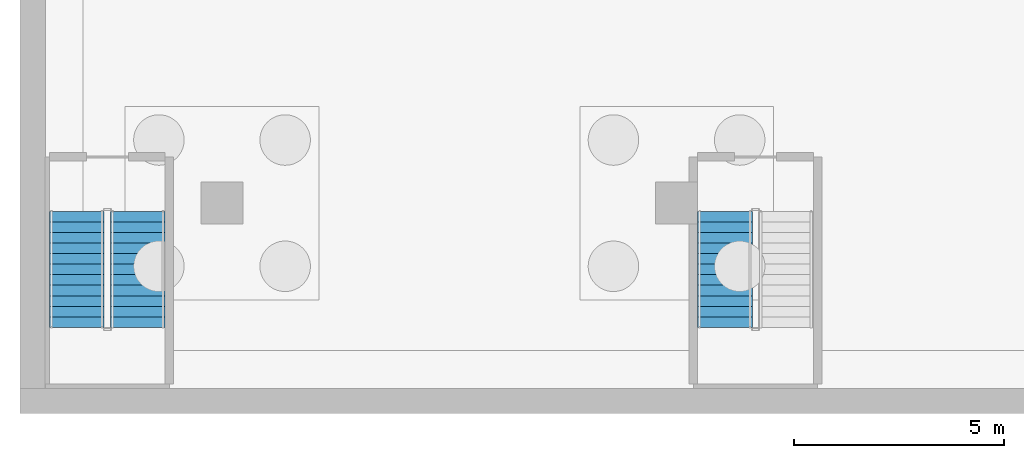
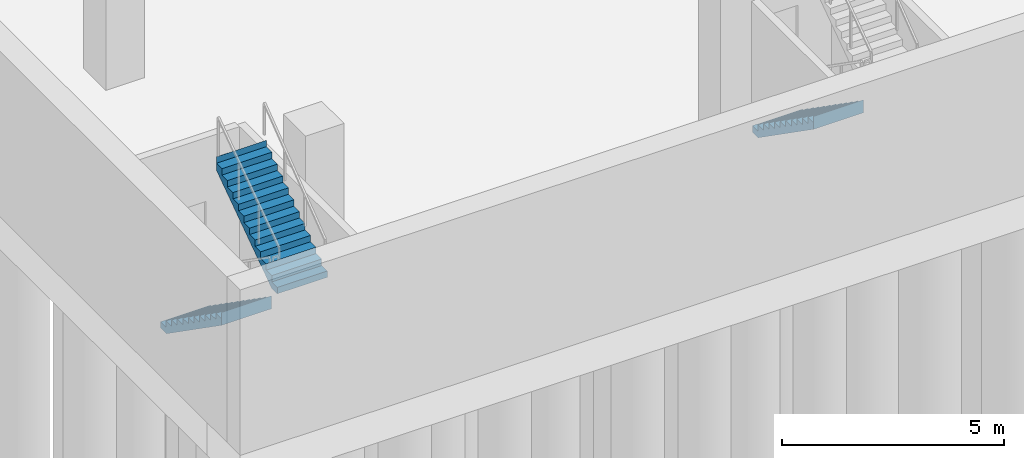
# One storey, part 12 of 21: 3 stair flights, 2 elements without a shape of their own.
"""IFC4 building model written with IfcOpenShell, lengths in metres."""

from ifc_helpers import new_model, si_unit, direction, frame, origin, place, context, subcontext, project, spatial, triangles, material, type_object, element, aggregate, save


model = new_model("IFC4")

# Units and contexts
model_context = context("Model", 3, precision=1e-05, world=origin(), true_north=direction((0.0, 1.0)))
body_context = subcontext(model_context, "Body", "Model", "MODEL_VIEW")
ifc_project = project(units=[si_unit("LENGTHUNIT", "METRE"), si_unit("AREAUNIT", "SQUARE_METRE"), si_unit("VOLUMEUNIT", "CUBIC_METRE"), si_unit("PLANEANGLEUNIT", "RADIAN"), si_unit("MASSUNIT", "GRAM", prefix="KILO")], contexts=[model_context])

# Site, building, storey
site_placement = place(None, origin())
site = spatial("IfcSite", under=ifc_project, at=site_placement, CompositionType="ELEMENT")
building_placement = place(site_placement, origin())
building = spatial("IfcBuilding", under=site, at=building_placement, Name="Beryl Residences", CompositionType="ELEMENT")
storey_placement = place(building_placement, frame((0.0, 0.0, -8.39990234375)))
storey = spatial("IfcBuildingStorey", under=building, at=storey_placement, Name="B2", CompositionType="ELEMENT", Elevation=-8.39990234375)

# Stair, stair flights
ifc_material_1 = material(Name="Concrete C40/50", Category="concrete")
stair_type = type_object("IfcStairType", Name="ST1 protected exit stair, half-turn, 1300 mm flights", PredefinedType="HALF_TURN_STAIR", material=ifc_material_1)
stair_1_placement = place(storey_placement, origin())
stair_1 = element("IfcStair", 1, at=stair_1_placement, inside=storey, type_object=stair_type, Name="B2 Basement exit stair 4", PredefinedType="HALF_TURN_STAIR")
ifc_material_2 = material(Name="Concrete C40/50", Category="concrete")
stair_flight_type = type_object("IfcStairFlightType", Name="SF1 stair flight 1300 mm", PredefinedType="STRAIGHT", material=ifc_material_2)
stair_flight_1_placement = place(storey_placement, frame((-46.64990234375, -27.199951171875, 0.0), z_axis=(0.0, 0.0, 1.0), x_axis=(0.0, -1.0, 0.0)))
stair_flight_1 = element("IfcStairFlight", 2, at=stair_flight_1_placement, type_object=stair_flight_type, Name="BS-4 flight 1", NumberOfRisers=12, NumberOfTreads=11, PredefinedType="STRAIGHT", RiserHeight=0.175, TreadLength=0.25, context=body_context, shape_type="Tessellation", body=[
    triangles([(0.0, -0.64990234375, 0.0), (0.0, -0.324951171875, 0.0), (0.0, 0.0, 0.0), (0.0, 0.324951171875, 0.0), (0.0, 0.64990234375, 0.0), (0.0, -0.64990234375, 0.175048828125), (0.0, -0.324951171875, 0.175048828125), (0.0, 0.0, 0.175048828125), (0.0, 0.324951171875, 0.175048828125), (0.0, 0.64990234375, 0.175048828125), (0.25, -0.64990234375, 0.175048828125), (0.25, -0.324951171875, 0.175048828125), (0.25, 0.0, 0.175048828125), (0.25, 0.324951171875, 0.175048828125), (0.25, 0.64990234375, 0.175048828125), (0.25, -0.64990234375, 0.35009765625), (0.25, -0.324951171875, 0.35009765625), (0.25, 0.0, 0.35009765625), (0.25, 0.324951171875, 0.35009765625), (0.25, 0.64990234375, 0.35009765625), (0.5, -0.64990234375, 0.35009765625), (0.5, -0.324951171875, 0.35009765625), (0.5, 0.0, 0.35009765625), (0.5, 0.324951171875, 0.35009765625), (0.5, 0.64990234375, 0.35009765625), (0.5, -0.64990234375, 0.52490234375), (0.5, -0.324951171875, 0.52490234375), (0.5, 0.0, 0.52490234375), (0.5, 0.324951171875, 0.52490234375), (0.5, 0.64990234375, 0.52490234375), (0.75, -0.64990234375, 0.52490234375), (0.75, -0.324951171875, 0.52490234375), (0.75, 0.0, 0.52490234375), (0.75, 0.324951171875, 0.52490234375), (0.75, 0.64990234375, 0.52490234375), (0.75, -0.64990234375, 0.699951171875), (0.75, -0.324951171875, 0.699951171875), (0.75, 0.0, 0.699951171875), (0.75, 0.324951171875, 0.699951171875), (0.75, 0.64990234375, 0.699951171875), (1.0, -0.64990234375, 0.699951171875), (1.0, -0.324951171875, 0.699951171875), (1.0, 0.0, 0.699951171875), (1.0, 0.324951171875, 0.699951171875), (1.0, 0.64990234375, 0.699951171875), (1.0, -0.64990234375, 0.875), (1.0, -0.324951171875, 0.875), (1.0, 0.0, 0.875), (1.0, 0.324951171875, 0.875), (1.0, 0.64990234375, 0.875), (1.25, -0.64990234375, 0.875), (1.25, -0.324951171875, 0.875), (1.25, 0.0, 0.875), (1.25, 0.324951171875, 0.875), (1.25, 0.64990234375, 0.875), (1.25, -0.64990234375, 1.050048828125), (1.25, -0.324951171875, 1.050048828125), (1.25, 0.0, 1.050048828125), (1.25, 0.324951171875, 1.050048828125), (1.25, 0.64990234375, 1.050048828125), (1.5, -0.64990234375, 1.050048828125), (1.5, -0.324951171875, 1.050048828125), (1.5, 0.0, 1.050048828125), (1.5, 0.324951171875, 1.050048828125), (1.5, 0.64990234375, 1.050048828125), (1.5, -0.64990234375, 1.22509765625), (1.5, -0.324951171875, 1.22509765625), (1.5, 0.0, 1.22509765625), (1.5, 0.324951171875, 1.22509765625), (1.5, 0.64990234375, 1.22509765625), (1.75, -0.64990234375, 1.22509765625), (1.75, -0.324951171875, 1.22509765625), (1.75, 0.0, 1.22509765625), (1.75, 0.324951171875, 1.22509765625), (1.75, 0.64990234375, 1.22509765625), (1.75, -0.64990234375, 1.39990234375), (1.75, -0.324951171875, 1.39990234375), (1.75, 0.0, 1.39990234375), (1.75, 0.324951171875, 1.39990234375), (1.75, 0.64990234375, 1.39990234375), (2.0, -0.64990234375, 1.39990234375), (2.0, -0.324951171875, 1.39990234375), (2.0, 0.0, 1.39990234375), (2.0, 0.324951171875, 1.39990234375), (2.0, 0.64990234375, 1.39990234375), (2.0, -0.64990234375, 1.574951171875), (2.0, -0.324951171875, 1.574951171875), (2.0, 0.0, 1.574951171875), (2.0, 0.324951171875, 1.574951171875), (2.0, 0.64990234375, 1.574951171875), (2.25, -0.64990234375, 1.574951171875), (2.25, -0.324951171875, 1.574951171875), (2.25, 0.0, 1.574951171875), (2.25, 0.324951171875, 1.574951171875), (2.25, 0.64990234375, 1.574951171875), (2.25, -0.64990234375, 1.75), (2.25, -0.324951171875, 1.75), (2.25, 0.0, 1.75), (2.25, 0.324951171875, 1.75), (2.25, 0.64990234375, 1.75), (2.5, -0.64990234375, 1.75), (2.5, -0.324951171875, 1.75), (2.5, 0.0, 1.75), (2.5, 0.324951171875, 1.75), (2.5, 0.64990234375, 1.75), (2.5, -0.64990234375, 1.925048828125), (2.5, -0.324951171875, 1.925048828125), (2.5, 0.0, 1.925048828125), (2.5, 0.324951171875, 1.925048828125), (2.5, 0.64990234375, 1.925048828125), (2.75, -0.64990234375, 1.925048828125), (2.75, -0.324951171875, 1.925048828125), (2.75, 0.0, 1.925048828125), (2.75, 0.324951171875, 1.925048828125), (2.75, 0.64990234375, 1.925048828125), (2.75, -0.64990234375, 2.10009765625), (2.75, -0.324951171875, 2.10009765625), (2.75, 0.0, 2.10009765625), (2.75, 0.324951171875, 2.10009765625), (2.75, 0.64990234375, 2.10009765625), (2.7509765625, -0.64990234375, 2.10009765625), (2.7509765625, -0.324951171875, 2.10009765625), (2.7509765625, 0.0, 2.10009765625), (2.7509765625, 0.324951171875, 2.10009765625), (2.7509765625, 0.64990234375, 2.10009765625), (2.7509765625, -0.64990234375, 1.741943359375), (2.7509765625, -0.324951171875, 1.741943359375), (2.7509765625, 0.0, 1.741943359375), (2.7509765625, 0.324951171875, 1.741943359375), (2.7509765625, 0.64990234375, 1.741943359375), (0.262451171875, -0.64990234375, 0.0), (0.262451171875, -0.324951171875, 0.0), (0.262451171875, 0.0, 0.0), (0.262451171875, 0.324951171875, 0.0), (0.262451171875, 0.64990234375, 0.0)], [[1, 6, 7], [1, 7, 2], [2, 7, 8], [2, 8, 3], [3, 8, 9], [3, 9, 4], [4, 9, 10], [4, 10, 5], [6, 11, 12], [6, 12, 7], [7, 12, 13], [7, 13, 8], [8, 13, 14], [8, 14, 9], [9, 14, 15], [9, 15, 10], [11, 16, 17], [11, 17, 12], [12, 17, 18], [12, 18, 13], [13, 18, 19], [13, 19, 14], [14, 19, 20], [14, 20, 15], [16, 21, 22], [16, 22, 17], [17, 22, 23], [17, 23, 18], [18, 23, 24], [18, 24, 19], [19, 24, 25], [19, 25, 20], [21, 26, 27], [21, 27, 22], [22, 27, 28], [22, 28, 23], [23, 28, 29], [23, 29, 24], [24, 29, 30], [24, 30, 25], [26, 31, 32], [26, 32, 27], [27, 32, 33], [27, 33, 28], [28, 33, 34], [28, 34, 29], [29, 34, 35], [29, 35, 30], [31, 36, 37], [31, 37, 32], [32, 37, 38], [32, 38, 33], [33, 38, 39], [33, 39, 34], [34, 39, 40], [34, 40, 35], [36, 41, 42], [36, 42, 37], [37, 42, 43], [37, 43, 38], [38, 43, 44], [38, 44, 39], [39, 44, 45], [39, 45, 40], [41, 46, 47], [41, 47, 42], [42, 47, 48], [42, 48, 43], [43, 48, 49], [43, 49, 44], [44, 49, 50], [44, 50, 45], [46, 51, 52], [46, 52, 47], [47, 52, 53], [47, 53, 48], [48, 53, 54], [48, 54, 49], [49, 54, 55], [49, 55, 50], [51, 56, 57], [51, 57, 52], [52, 57, 58], [52, 58, 53], [53, 58, 59], [53, 59, 54], [54, 59, 60], [54, 60, 55], [56, 61, 62], [56, 62, 57], [57, 62, 63], [57, 63, 58], [58, 63, 64], [58, 64, 59], [59, 64, 65], [59, 65, 60], [61, 66, 67], [61, 67, 62], [62, 67, 68], [62, 68, 63], [63, 68, 69], [63, 69, 64], [64, 69, 70], [64, 70, 65], [66, 71, 72], [66, 72, 67], [67, 72, 73], [67, 73, 68], [68, 73, 74], [68, 74, 69], [69, 74, 75], [69, 75, 70], [71, 76, 77], [71, 77, 72], [72, 77, 78], [72, 78, 73], [73, 78, 79], [73, 79, 74], [74, 79, 80], [74, 80, 75], [76, 81, 82], [76, 82, 77], [77, 82, 83], [77, 83, 78], [78, 83, 84], [78, 84, 79], [79, 84, 85], [79, 85, 80], [81, 86, 87], [81, 87, 82], [82, 87, 88], [82, 88, 83], [83, 88, 89], [83, 89, 84], [84, 89, 90], [84, 90, 85], [86, 91, 92], [86, 92, 87], [87, 92, 93], [87, 93, 88], [88, 93, 94], [88, 94, 89], [89, 94, 95], [89, 95, 90], [91, 96, 97], [91, 97, 92], [92, 97, 98], [92, 98, 93], [93, 98, 99], [93, 99, 94], [94, 99, 100], [94, 100, 95], [96, 101, 102], [96, 102, 97], [97, 102, 103], [97, 103, 98], [98, 103, 104], [98, 104, 99], [99, 104, 105], [99, 105, 100], [101, 106, 107], [101, 107, 102], [102, 107, 108], [102, 108, 103], [103, 108, 109], [103, 109, 104], [104, 109, 110], [104, 110, 105], [106, 111, 112], [106, 112, 107], [107, 112, 113], [107, 113, 108], [108, 113, 114], [108, 114, 109], [109, 114, 115], [109, 115, 110], [111, 116, 117], [111, 117, 112], [112, 117, 118], [112, 118, 113], [113, 118, 119], [113, 119, 114], [114, 119, 120], [114, 120, 115], [116, 121, 122], [116, 122, 117], [117, 122, 123], [117, 123, 118], [118, 123, 124], [118, 124, 119], [119, 124, 125], [119, 125, 120], [121, 126, 127], [121, 127, 122], [122, 127, 128], [122, 128, 123], [123, 128, 129], [123, 129, 124], [124, 129, 130], [124, 130, 125], [126, 131, 132], [126, 132, 127], [127, 132, 133], [127, 133, 128], [128, 133, 134], [128, 134, 129], [129, 134, 135], [129, 135, 130], [131, 1, 2], [131, 2, 132], [132, 2, 3], [132, 3, 133], [133, 3, 4], [133, 4, 134], [134, 4, 5], [134, 5, 135], [1, 131, 126], [5, 130, 135], [126, 121, 116], [130, 120, 125], [126, 116, 111], [130, 115, 120], [126, 111, 106], [130, 110, 115], [126, 106, 101], [130, 105, 110], [126, 101, 96], [130, 100, 105], [126, 96, 91], [130, 95, 100], [91, 86, 81], [95, 85, 90], [126, 91, 81], [130, 85, 95], [81, 76, 71], [85, 75, 80], [126, 81, 71], [130, 75, 85], [71, 66, 61], [75, 65, 70], [126, 71, 61], [130, 65, 75], [61, 56, 51], [65, 55, 60], [126, 61, 51], [130, 55, 65], [51, 46, 41], [55, 45, 50], [126, 51, 41], [130, 45, 55], [41, 36, 31], [45, 35, 40], [126, 41, 31], [130, 35, 45], [1, 126, 31], [5, 35, 130], [31, 26, 21], [35, 25, 30], [21, 16, 11], [25, 15, 20], [31, 21, 11], [35, 15, 25], [1, 31, 11], [5, 15, 35], [11, 6, 1], [15, 5, 10]], closed=True),
])
stair_flight_2_placement = place(storey_placement, frame((-45.199951171875, -29.949951171875, 2.099853515625), z_axis=(0.0, 0.0, 1.0), x_axis=(0.0, 1.0, 0.0)))
stair_flight_2 = element("IfcStairFlight", 3, at=stair_flight_2_placement, type_object=stair_flight_type, Name="BS-4 flight 2", NumberOfRisers=12, NumberOfTreads=11, PredefinedType="STRAIGHT", RiserHeight=0.175, TreadLength=0.25, context=body_context, shape_type="Tessellation", body=[
    triangles([(0.0, -0.64990234375, 0.0), (0.0, -0.324951171875, 0.0), (0.0, 0.0, 0.0), (0.0, 0.324951171875, 0.0), (0.0, 0.64990234375, 0.0), (0.0, -0.64990234375, 0.175048828125), (0.0, -0.324951171875, 0.175048828125), (0.0, 0.0, 0.175048828125), (0.0, 0.324951171875, 0.175048828125), (0.0, 0.64990234375, 0.175048828125), (0.25, -0.64990234375, 0.175048828125), (0.25, -0.324951171875, 0.175048828125), (0.25, 0.0, 0.175048828125), (0.25, 0.324951171875, 0.175048828125), (0.25, 0.64990234375, 0.175048828125), (0.25, -0.64990234375, 0.35009765625), (0.25, -0.324951171875, 0.35009765625), (0.25, 0.0, 0.35009765625), (0.25, 0.324951171875, 0.35009765625), (0.25, 0.64990234375, 0.35009765625), (0.5, -0.64990234375, 0.35009765625), (0.5, -0.324951171875, 0.35009765625), (0.5, 0.0, 0.35009765625), (0.5, 0.324951171875, 0.35009765625), (0.5, 0.64990234375, 0.35009765625), (0.5, -0.64990234375, 0.52490234375), (0.5, -0.324951171875, 0.52490234375), (0.5, 0.0, 0.52490234375), (0.5, 0.324951171875, 0.52490234375), (0.5, 0.64990234375, 0.52490234375), (0.75, -0.64990234375, 0.52490234375), (0.75, -0.324951171875, 0.52490234375), (0.75, 0.0, 0.52490234375), (0.75, 0.324951171875, 0.52490234375), (0.75, 0.64990234375, 0.52490234375), (0.75, -0.64990234375, 0.699951171875), (0.75, -0.324951171875, 0.699951171875), (0.75, 0.0, 0.699951171875), (0.75, 0.324951171875, 0.699951171875), (0.75, 0.64990234375, 0.699951171875), (1.0, -0.64990234375, 0.699951171875), (1.0, -0.324951171875, 0.699951171875), (1.0, 0.0, 0.699951171875), (1.0, 0.324951171875, 0.699951171875), (1.0, 0.64990234375, 0.699951171875), (1.0, -0.64990234375, 0.875), (1.0, -0.324951171875, 0.875), (1.0, 0.0, 0.875), (1.0, 0.324951171875, 0.875), (1.0, 0.64990234375, 0.875), (1.25, -0.64990234375, 0.875), (1.25, -0.324951171875, 0.875), (1.25, 0.0, 0.875), (1.25, 0.324951171875, 0.875), (1.25, 0.64990234375, 0.875), (1.25, -0.64990234375, 1.050048828125), (1.25, -0.324951171875, 1.050048828125), (1.25, 0.0, 1.050048828125), (1.25, 0.324951171875, 1.050048828125), (1.25, 0.64990234375, 1.050048828125), (1.5, -0.64990234375, 1.050048828125), (1.5, -0.324951171875, 1.050048828125), (1.5, 0.0, 1.050048828125), (1.5, 0.324951171875, 1.050048828125), (1.5, 0.64990234375, 1.050048828125), (1.5, -0.64990234375, 1.22509765625), (1.5, -0.324951171875, 1.22509765625), (1.5, 0.0, 1.22509765625), (1.5, 0.324951171875, 1.22509765625), (1.5, 0.64990234375, 1.22509765625), (1.75, -0.64990234375, 1.22509765625), (1.75, -0.324951171875, 1.22509765625), (1.75, 0.0, 1.22509765625), (1.75, 0.324951171875, 1.22509765625), (1.75, 0.64990234375, 1.22509765625), (1.75, -0.64990234375, 1.39990234375), (1.75, -0.324951171875, 1.39990234375), (1.75, 0.0, 1.39990234375), (1.75, 0.324951171875, 1.39990234375), (1.75, 0.64990234375, 1.39990234375), (2.0, -0.64990234375, 1.39990234375), (2.0, -0.324951171875, 1.39990234375), (2.0, 0.0, 1.39990234375), (2.0, 0.324951171875, 1.39990234375), (2.0, 0.64990234375, 1.39990234375), (2.0, -0.64990234375, 1.574951171875), (2.0, -0.324951171875, 1.574951171875), (2.0, 0.0, 1.574951171875), (2.0, 0.324951171875, 1.574951171875), (2.0, 0.64990234375, 1.574951171875), (2.25, -0.64990234375, 1.574951171875), (2.25, -0.324951171875, 1.574951171875), (2.25, 0.0, 1.574951171875), (2.25, 0.324951171875, 1.574951171875), (2.25, 0.64990234375, 1.574951171875), (2.25, -0.64990234375, 1.75), (2.25, -0.324951171875, 1.75), (2.25, 0.0, 1.75), (2.25, 0.324951171875, 1.75), (2.25, 0.64990234375, 1.75), (2.5, -0.64990234375, 1.75), (2.5, -0.324951171875, 1.75), (2.5, 0.0, 1.75), (2.5, 0.324951171875, 1.75), (2.5, 0.64990234375, 1.75), (2.5, -0.64990234375, 1.925048828125), (2.5, -0.324951171875, 1.925048828125), (2.5, 0.0, 1.925048828125), (2.5, 0.324951171875, 1.925048828125), (2.5, 0.64990234375, 1.925048828125), (2.75, -0.64990234375, 1.925048828125), (2.75, -0.324951171875, 1.925048828125), (2.75, 0.0, 1.925048828125), (2.75, 0.324951171875, 1.925048828125), (2.75, 0.64990234375, 1.925048828125), (2.75, -0.64990234375, 2.10009765625), (2.75, -0.324951171875, 2.10009765625), (2.75, 0.0, 2.10009765625), (2.75, 0.324951171875, 2.10009765625), (2.75, 0.64990234375, 2.10009765625), (2.7509765625, -0.64990234375, 2.10009765625), (2.7509765625, -0.324951171875, 2.10009765625), (2.7509765625, 0.0, 2.10009765625), (2.7509765625, 0.324951171875, 2.10009765625), (2.7509765625, 0.64990234375, 2.10009765625), (2.7509765625, -0.64990234375, 1.741943359375), (2.7509765625, -0.324951171875, 1.741943359375), (2.7509765625, 0.0, 1.741943359375), (2.7509765625, 0.324951171875, 1.741943359375), (2.7509765625, 0.64990234375, 1.741943359375), (0.262451171875, -0.64990234375, 0.0), (0.262451171875, -0.324951171875, 0.0), (0.262451171875, 0.0, 0.0), (0.262451171875, 0.324951171875, 0.0), (0.262451171875, 0.64990234375, 0.0)], [[1, 6, 7], [1, 7, 2], [2, 7, 8], [2, 8, 3], [3, 8, 9], [3, 9, 4], [4, 9, 10], [4, 10, 5], [6, 11, 12], [6, 12, 7], [7, 12, 13], [7, 13, 8], [8, 13, 14], [8, 14, 9], [9, 14, 15], [9, 15, 10], [11, 16, 17], [11, 17, 12], [12, 17, 18], [12, 18, 13], [13, 18, 19], [13, 19, 14], [14, 19, 20], [14, 20, 15], [16, 21, 22], [16, 22, 17], [17, 22, 23], [17, 23, 18], [18, 23, 24], [18, 24, 19], [19, 24, 25], [19, 25, 20], [21, 26, 27], [21, 27, 22], [22, 27, 28], [22, 28, 23], [23, 28, 29], [23, 29, 24], [24, 29, 30], [24, 30, 25], [26, 31, 32], [26, 32, 27], [27, 32, 33], [27, 33, 28], [28, 33, 34], [28, 34, 29], [29, 34, 35], [29, 35, 30], [31, 36, 37], [31, 37, 32], [32, 37, 38], [32, 38, 33], [33, 38, 39], [33, 39, 34], [34, 39, 40], [34, 40, 35], [36, 41, 42], [36, 42, 37], [37, 42, 43], [37, 43, 38], [38, 43, 44], [38, 44, 39], [39, 44, 45], [39, 45, 40], [41, 46, 47], [41, 47, 42], [42, 47, 48], [42, 48, 43], [43, 48, 49], [43, 49, 44], [44, 49, 50], [44, 50, 45], [46, 51, 52], [46, 52, 47], [47, 52, 53], [47, 53, 48], [48, 53, 54], [48, 54, 49], [49, 54, 55], [49, 55, 50], [51, 56, 57], [51, 57, 52], [52, 57, 58], [52, 58, 53], [53, 58, 59], [53, 59, 54], [54, 59, 60], [54, 60, 55], [56, 61, 62], [56, 62, 57], [57, 62, 63], [57, 63, 58], [58, 63, 64], [58, 64, 59], [59, 64, 65], [59, 65, 60], [61, 66, 67], [61, 67, 62], [62, 67, 68], [62, 68, 63], [63, 68, 69], [63, 69, 64], [64, 69, 70], [64, 70, 65], [66, 71, 72], [66, 72, 67], [67, 72, 73], [67, 73, 68], [68, 73, 74], [68, 74, 69], [69, 74, 75], [69, 75, 70], [71, 76, 77], [71, 77, 72], [72, 77, 78], [72, 78, 73], [73, 78, 79], [73, 79, 74], [74, 79, 80], [74, 80, 75], [76, 81, 82], [76, 82, 77], [77, 82, 83], [77, 83, 78], [78, 83, 84], [78, 84, 79], [79, 84, 85], [79, 85, 80], [81, 86, 87], [81, 87, 82], [82, 87, 88], [82, 88, 83], [83, 88, 89], [83, 89, 84], [84, 89, 90], [84, 90, 85], [86, 91, 92], [86, 92, 87], [87, 92, 93], [87, 93, 88], [88, 93, 94], [88, 94, 89], [89, 94, 95], [89, 95, 90], [91, 96, 97], [91, 97, 92], [92, 97, 98], [92, 98, 93], [93, 98, 99], [93, 99, 94], [94, 99, 100], [94, 100, 95], [96, 101, 102], [96, 102, 97], [97, 102, 103], [97, 103, 98], [98, 103, 104], [98, 104, 99], [99, 104, 105], [99, 105, 100], [101, 106, 107], [101, 107, 102], [102, 107, 108], [102, 108, 103], [103, 108, 109], [103, 109, 104], [104, 109, 110], [104, 110, 105], [106, 111, 112], [106, 112, 107], [107, 112, 113], [107, 113, 108], [108, 113, 114], [108, 114, 109], [109, 114, 115], [109, 115, 110], [111, 116, 117], [111, 117, 112], [112, 117, 118], [112, 118, 113], [113, 118, 119], [113, 119, 114], [114, 119, 120], [114, 120, 115], [116, 121, 122], [116, 122, 117], [117, 122, 123], [117, 123, 118], [118, 123, 124], [118, 124, 119], [119, 124, 125], [119, 125, 120], [121, 126, 127], [121, 127, 122], [122, 127, 128], [122, 128, 123], [123, 128, 129], [123, 129, 124], [124, 129, 130], [124, 130, 125], [126, 131, 132], [126, 132, 127], [127, 132, 133], [127, 133, 128], [128, 133, 134], [128, 134, 129], [129, 134, 135], [129, 135, 130], [131, 1, 2], [131, 2, 132], [132, 2, 3], [132, 3, 133], [133, 3, 4], [133, 4, 134], [134, 4, 5], [134, 5, 135], [1, 131, 126], [5, 130, 135], [126, 121, 116], [130, 120, 125], [126, 116, 111], [130, 115, 120], [126, 111, 106], [130, 110, 115], [126, 106, 101], [130, 105, 110], [126, 101, 96], [130, 100, 105], [126, 96, 91], [130, 95, 100], [91, 86, 81], [95, 85, 90], [126, 91, 81], [130, 85, 95], [81, 76, 71], [85, 75, 80], [126, 81, 71], [130, 75, 85], [71, 66, 61], [75, 65, 70], [126, 71, 61], [130, 65, 75], [61, 56, 51], [65, 55, 60], [126, 61, 51], [130, 55, 65], [51, 46, 41], [55, 45, 50], [126, 51, 41], [130, 45, 55], [41, 36, 31], [45, 35, 40], [126, 41, 31], [130, 35, 45], [1, 126, 31], [5, 35, 130], [31, 26, 21], [35, 25, 30], [21, 16, 11], [25, 15, 20], [31, 21, 11], [35, 15, 25], [1, 31, 11], [5, 15, 35], [11, 6, 1], [15, 5, 10]], closed=True),
])
aggregate(stair_1, [stair_flight_1, stair_flight_2])

# Stair, stair flight
stair_2_placement = place(storey_placement, origin())
stair_2 = element("IfcStair", 4, at=stair_2_placement, inside=storey, type_object=stair_type, Name="B2 Basement exit stair 5", PredefinedType="HALF_TURN_STAIR")
stair_flight_3_placement = place(storey_placement, frame((-31.25, -27.199951171875, 0.0), z_axis=(0.0, 0.0, 1.0), x_axis=(0.0, -1.0, 0.0)))
stair_flight_3 = element("IfcStairFlight", 5, at=stair_flight_3_placement, type_object=stair_flight_type, Name="BS-5 flight 1", NumberOfRisers=12, NumberOfTreads=11, PredefinedType="STRAIGHT", RiserHeight=0.175, TreadLength=0.25, context=body_context, shape_type="Tessellation", body=[
    triangles([(0.0, -0.64990234375, 0.0), (0.0, -0.324951171875, 0.0), (0.0, 0.0, 0.0), (0.0, 0.324951171875, 0.0), (0.0, 0.64990234375, 0.0), (0.0, -0.64990234375, 0.175048828125), (0.0, -0.324951171875, 0.175048828125), (0.0, 0.0, 0.175048828125), (0.0, 0.324951171875, 0.175048828125), (0.0, 0.64990234375, 0.175048828125), (0.25, -0.64990234375, 0.175048828125), (0.25, -0.324951171875, 0.175048828125), (0.25, 0.0, 0.175048828125), (0.25, 0.324951171875, 0.175048828125), (0.25, 0.64990234375, 0.175048828125), (0.25, -0.64990234375, 0.35009765625), (0.25, -0.324951171875, 0.35009765625), (0.25, 0.0, 0.35009765625), (0.25, 0.324951171875, 0.35009765625), (0.25, 0.64990234375, 0.35009765625), (0.5, -0.64990234375, 0.35009765625), (0.5, -0.324951171875, 0.35009765625), (0.5, 0.0, 0.35009765625), (0.5, 0.324951171875, 0.35009765625), (0.5, 0.64990234375, 0.35009765625), (0.5, -0.64990234375, 0.52490234375), (0.5, -0.324951171875, 0.52490234375), (0.5, 0.0, 0.52490234375), (0.5, 0.324951171875, 0.52490234375), (0.5, 0.64990234375, 0.52490234375), (0.75, -0.64990234375, 0.52490234375), (0.75, -0.324951171875, 0.52490234375), (0.75, 0.0, 0.52490234375), (0.75, 0.324951171875, 0.52490234375), (0.75, 0.64990234375, 0.52490234375), (0.75, -0.64990234375, 0.699951171875), (0.75, -0.324951171875, 0.699951171875), (0.75, 0.0, 0.699951171875), (0.75, 0.324951171875, 0.699951171875), (0.75, 0.64990234375, 0.699951171875), (1.0, -0.64990234375, 0.699951171875), (1.0, -0.324951171875, 0.699951171875), (1.0, 0.0, 0.699951171875), (1.0, 0.324951171875, 0.699951171875), (1.0, 0.64990234375, 0.699951171875), (1.0, -0.64990234375, 0.875), (1.0, -0.324951171875, 0.875), (1.0, 0.0, 0.875), (1.0, 0.324951171875, 0.875), (1.0, 0.64990234375, 0.875), (1.25, -0.64990234375, 0.875), (1.25, -0.324951171875, 0.875), (1.25, 0.0, 0.875), (1.25, 0.324951171875, 0.875), (1.25, 0.64990234375, 0.875), (1.25, -0.64990234375, 1.050048828125), (1.25, -0.324951171875, 1.050048828125), (1.25, 0.0, 1.050048828125), (1.25, 0.324951171875, 1.050048828125), (1.25, 0.64990234375, 1.050048828125), (1.5, -0.64990234375, 1.050048828125), (1.5, -0.324951171875, 1.050048828125), (1.5, 0.0, 1.050048828125), (1.5, 0.324951171875, 1.050048828125), (1.5, 0.64990234375, 1.050048828125), (1.5, -0.64990234375, 1.22509765625), (1.5, -0.324951171875, 1.22509765625), (1.5, 0.0, 1.22509765625), (1.5, 0.324951171875, 1.22509765625), (1.5, 0.64990234375, 1.22509765625), (1.75, -0.64990234375, 1.22509765625), (1.75, -0.324951171875, 1.22509765625), (1.75, 0.0, 1.22509765625), (1.75, 0.324951171875, 1.22509765625), (1.75, 0.64990234375, 1.22509765625), (1.75, -0.64990234375, 1.39990234375), (1.75, -0.324951171875, 1.39990234375), (1.75, 0.0, 1.39990234375), (1.75, 0.324951171875, 1.39990234375), (1.75, 0.64990234375, 1.39990234375), (2.0, -0.64990234375, 1.39990234375), (2.0, -0.324951171875, 1.39990234375), (2.0, 0.0, 1.39990234375), (2.0, 0.324951171875, 1.39990234375), (2.0, 0.64990234375, 1.39990234375), (2.0, -0.64990234375, 1.574951171875), (2.0, -0.324951171875, 1.574951171875), (2.0, 0.0, 1.574951171875), (2.0, 0.324951171875, 1.574951171875), (2.0, 0.64990234375, 1.574951171875), (2.25, -0.64990234375, 1.574951171875), (2.25, -0.324951171875, 1.574951171875), (2.25, 0.0, 1.574951171875), (2.25, 0.324951171875, 1.574951171875), (2.25, 0.64990234375, 1.574951171875), (2.25, -0.64990234375, 1.75), (2.25, -0.324951171875, 1.75), (2.25, 0.0, 1.75), (2.25, 0.324951171875, 1.75), (2.25, 0.64990234375, 1.75), (2.5, -0.64990234375, 1.75), (2.5, -0.324951171875, 1.75), (2.5, 0.0, 1.75), (2.5, 0.324951171875, 1.75), (2.5, 0.64990234375, 1.75), (2.5, -0.64990234375, 1.925048828125), (2.5, -0.324951171875, 1.925048828125), (2.5, 0.0, 1.925048828125), (2.5, 0.324951171875, 1.925048828125), (2.5, 0.64990234375, 1.925048828125), (2.75, -0.64990234375, 1.925048828125), (2.75, -0.324951171875, 1.925048828125), (2.75, 0.0, 1.925048828125), (2.75, 0.324951171875, 1.925048828125), (2.75, 0.64990234375, 1.925048828125), (2.75, -0.64990234375, 2.10009765625), (2.75, -0.324951171875, 2.10009765625), (2.75, 0.0, 2.10009765625), (2.75, 0.324951171875, 2.10009765625), (2.75, 0.64990234375, 2.10009765625), (2.7509765625, -0.64990234375, 2.10009765625), (2.7509765625, -0.324951171875, 2.10009765625), (2.7509765625, 0.0, 2.10009765625), (2.7509765625, 0.324951171875, 2.10009765625), (2.7509765625, 0.64990234375, 2.10009765625), (2.7509765625, -0.64990234375, 1.741943359375), (2.7509765625, -0.324951171875, 1.741943359375), (2.7509765625, 0.0, 1.741943359375), (2.7509765625, 0.324951171875, 1.741943359375), (2.7509765625, 0.64990234375, 1.741943359375), (0.262451171875, -0.64990234375, 0.0), (0.262451171875, -0.324951171875, 0.0), (0.262451171875, 0.0, 0.0), (0.262451171875, 0.324951171875, 0.0), (0.262451171875, 0.64990234375, 0.0)], [[1, 6, 7], [1, 7, 2], [2, 7, 8], [2, 8, 3], [3, 8, 9], [3, 9, 4], [4, 9, 10], [4, 10, 5], [6, 11, 12], [6, 12, 7], [7, 12, 13], [7, 13, 8], [8, 13, 14], [8, 14, 9], [9, 14, 15], [9, 15, 10], [11, 16, 17], [11, 17, 12], [12, 17, 18], [12, 18, 13], [13, 18, 19], [13, 19, 14], [14, 19, 20], [14, 20, 15], [16, 21, 22], [16, 22, 17], [17, 22, 23], [17, 23, 18], [18, 23, 24], [18, 24, 19], [19, 24, 25], [19, 25, 20], [21, 26, 27], [21, 27, 22], [22, 27, 28], [22, 28, 23], [23, 28, 29], [23, 29, 24], [24, 29, 30], [24, 30, 25], [26, 31, 32], [26, 32, 27], [27, 32, 33], [27, 33, 28], [28, 33, 34], [28, 34, 29], [29, 34, 35], [29, 35, 30], [31, 36, 37], [31, 37, 32], [32, 37, 38], [32, 38, 33], [33, 38, 39], [33, 39, 34], [34, 39, 40], [34, 40, 35], [36, 41, 42], [36, 42, 37], [37, 42, 43], [37, 43, 38], [38, 43, 44], [38, 44, 39], [39, 44, 45], [39, 45, 40], [41, 46, 47], [41, 47, 42], [42, 47, 48], [42, 48, 43], [43, 48, 49], [43, 49, 44], [44, 49, 50], [44, 50, 45], [46, 51, 52], [46, 52, 47], [47, 52, 53], [47, 53, 48], [48, 53, 54], [48, 54, 49], [49, 54, 55], [49, 55, 50], [51, 56, 57], [51, 57, 52], [52, 57, 58], [52, 58, 53], [53, 58, 59], [53, 59, 54], [54, 59, 60], [54, 60, 55], [56, 61, 62], [56, 62, 57], [57, 62, 63], [57, 63, 58], [58, 63, 64], [58, 64, 59], [59, 64, 65], [59, 65, 60], [61, 66, 67], [61, 67, 62], [62, 67, 68], [62, 68, 63], [63, 68, 69], [63, 69, 64], [64, 69, 70], [64, 70, 65], [66, 71, 72], [66, 72, 67], [67, 72, 73], [67, 73, 68], [68, 73, 74], [68, 74, 69], [69, 74, 75], [69, 75, 70], [71, 76, 77], [71, 77, 72], [72, 77, 78], [72, 78, 73], [73, 78, 79], [73, 79, 74], [74, 79, 80], [74, 80, 75], [76, 81, 82], [76, 82, 77], [77, 82, 83], [77, 83, 78], [78, 83, 84], [78, 84, 79], [79, 84, 85], [79, 85, 80], [81, 86, 87], [81, 87, 82], [82, 87, 88], [82, 88, 83], [83, 88, 89], [83, 89, 84], [84, 89, 90], [84, 90, 85], [86, 91, 92], [86, 92, 87], [87, 92, 93], [87, 93, 88], [88, 93, 94], [88, 94, 89], [89, 94, 95], [89, 95, 90], [91, 96, 97], [91, 97, 92], [92, 97, 98], [92, 98, 93], [93, 98, 99], [93, 99, 94], [94, 99, 100], [94, 100, 95], [96, 101, 102], [96, 102, 97], [97, 102, 103], [97, 103, 98], [98, 103, 104], [98, 104, 99], [99, 104, 105], [99, 105, 100], [101, 106, 107], [101, 107, 102], [102, 107, 108], [102, 108, 103], [103, 108, 109], [103, 109, 104], [104, 109, 110], [104, 110, 105], [106, 111, 112], [106, 112, 107], [107, 112, 113], [107, 113, 108], [108, 113, 114], [108, 114, 109], [109, 114, 115], [109, 115, 110], [111, 116, 117], [111, 117, 112], [112, 117, 118], [112, 118, 113], [113, 118, 119], [113, 119, 114], [114, 119, 120], [114, 120, 115], [116, 121, 122], [116, 122, 117], [117, 122, 123], [117, 123, 118], [118, 123, 124], [118, 124, 119], [119, 124, 125], [119, 125, 120], [121, 126, 127], [121, 127, 122], [122, 127, 128], [122, 128, 123], [123, 128, 129], [123, 129, 124], [124, 129, 130], [124, 130, 125], [126, 131, 132], [126, 132, 127], [127, 132, 133], [127, 133, 128], [128, 133, 134], [128, 134, 129], [129, 134, 135], [129, 135, 130], [131, 1, 2], [131, 2, 132], [132, 2, 3], [132, 3, 133], [133, 3, 4], [133, 4, 134], [134, 4, 5], [134, 5, 135], [1, 131, 126], [5, 130, 135], [126, 121, 116], [130, 120, 125], [126, 116, 111], [130, 115, 120], [126, 111, 106], [130, 110, 115], [126, 106, 101], [130, 105, 110], [126, 101, 96], [130, 100, 105], [126, 96, 91], [130, 95, 100], [91, 86, 81], [95, 85, 90], [126, 91, 81], [130, 85, 95], [81, 76, 71], [85, 75, 80], [126, 81, 71], [130, 75, 85], [71, 66, 61], [75, 65, 70], [126, 71, 61], [130, 65, 75], [61, 56, 51], [65, 55, 60], [126, 61, 51], [130, 55, 65], [51, 46, 41], [55, 45, 50], [126, 51, 41], [130, 45, 55], [41, 36, 31], [45, 35, 40], [126, 41, 31], [130, 35, 45], [1, 126, 31], [5, 35, 130], [31, 26, 21], [35, 25, 30], [21, 16, 11], [25, 15, 20], [31, 21, 11], [35, 15, 25], [1, 31, 11], [5, 15, 35], [11, 6, 1], [15, 5, 10]], closed=True),
])
aggregate(stair_2, [stair_flight_3])

save(model, "model.ifc")
